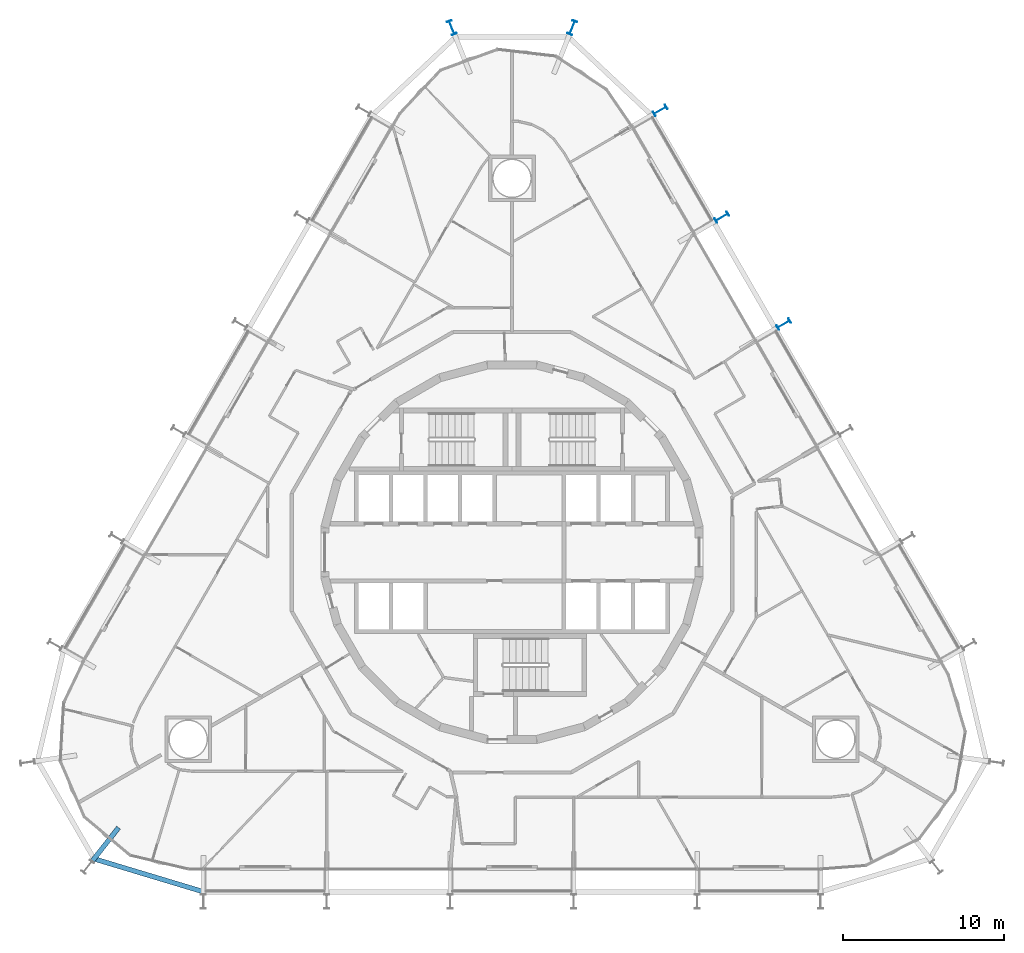
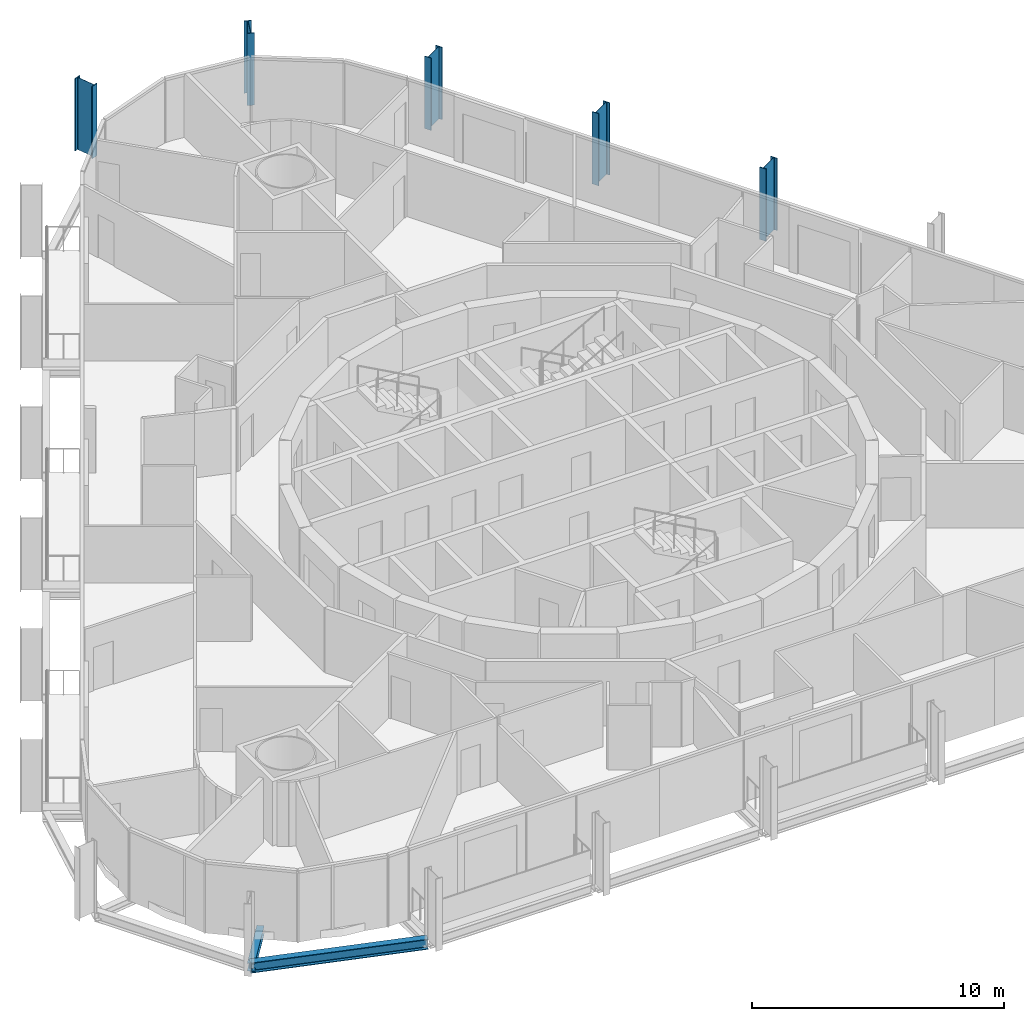
# One storey, part 2 of 21: 5 columns, 2 beams.
"""IFC4 building model written with IfcOpenShell, lengths in metres."""

from ifc_helpers import new_model, si_unit, direction, frame, origin, origin_2d, place, context, subcontext, project, spatial, i_section, extrude, material, material_profile, profile_set, type_object, element, save


model = new_model("IFC4")

# Units and contexts
model_context = context("Model", 3, precision=1e-05, world=origin(), true_north=direction((0.0, 1.0)))
body_context = subcontext(model_context, "Body", "Model", "MODEL_VIEW")
ifc_project = project(units=[si_unit("LENGTHUNIT", "METRE"), si_unit("AREAUNIT", "SQUARE_METRE"), si_unit("VOLUMEUNIT", "CUBIC_METRE"), si_unit("PLANEANGLEUNIT", "RADIAN"), si_unit("MASSUNIT", "GRAM", prefix="KILO")], contexts=[model_context])

# Site, building, storey
site_placement = place(None, origin())
site = spatial("IfcSite", under=ifc_project, at=site_placement, CompositionType="ELEMENT")
building_placement = place(site_placement, origin())
building = spatial("IfcBuilding", under=site, at=building_placement, Name="Spindle Arch Residences", CompositionType="ELEMENT")
storey_placement = place(building_placement, frame((0.0, 0.0, 62.89990234375)))
storey = spatial("IfcBuildingStorey", under=building, at=storey_placement, Name="L14", CompositionType="ELEMENT", Elevation=62.89990234375)

# Columns
ifc_material_1 = material(Name="Steel S460ML, intumescent coating R 240", Category="steel")
ifc_material_profile_1 = material_profile(ifc_material_1, i_section(OverallWidth=0.300048828125, OverallDepth=0.89990234375, WebThickness=0.0185546875, FlangeThickness=0.034912109375, FilletRadius=0.030029296875, at=origin_2d()), Name="HEB 900")
ifc_profile_set_1 = profile_set([ifc_material_profile_1], Name="Steel S460ML, intumescent coating R 240")
column_type = type_object("IfcColumnType", Name="Exoskeleton post HEB 900", PredefinedType="COLUMN", material=ifc_profile_set_1)
for number, where, z_axis, x_axis, name in (
    (1, (16.898681640625, 14.1904296875, -0.3798828125), (0.0, 0.0, 1.0), (0.50000017485, -0.866025302835, 0.0), "Exoskeleton post 9"),
    (2, (13.05859375, 20.841796875, -0.3798828125), (0.0, 0.0, 1.0), (0.50000017485, -0.866025302835, 0.0), "Exoskeleton post 10"),
    (3, (9.218505859375, 27.492919921875, -0.3798828125), (0.0, 0.0, 1.0), (0.50000017485, -0.866025302835, 0.0), "Exoskeleton post 11"),
    (4, (3.748291015625, 32.638671875, -0.3798828125), (0.0, 0.0, 1.0), (0.928589751246, -0.371107900591, 0.0), "Exoskeleton post 12"),
    (5, (-3.748291015625, 32.638671875, -0.3798828125), (0.0, 0.0, 1.0), (0.928589751246, 0.371107900591, 0.0), "Exoskeleton post 13"),
):
    element("IfcColumn", number, at=place(storey_placement, frame(where, z_axis=z_axis, x_axis=x_axis)), inside=storey, type_object=column_type, Name=name, PredefinedType="COLUMN", context=body_context, shape_type="SweptSolid", body=[
        extrude(i_section(OverallWidth=0.300048828125, OverallDepth=0.89990234375, WebThickness=0.0185546875, FlangeThickness=0.034912109375, FilletRadius=0.030029296875, at=origin_2d()), origin(), (0.0, 0.0, 1.0), 3.5),
    ])

# Beams
ifc_material_2 = material(Name="Steel S460ML, intumescent coating R 120", Category="steel")
ifc_material_profile_2 = material_profile(ifc_material_2, i_section(OverallWidth=0.300048828125, OverallDepth=0.5, WebThickness=0.014404296875, FlangeThickness=0.028076171875, FilletRadius=0.027099609375, at=origin_2d()), Name="HEB 500")
ifc_profile_set_2 = profile_set([ifc_material_profile_2], Name="Steel S460ML, intumescent coating R 120")
beam_type_1 = type_object("IfcBeamType", Name="Exoskeleton edge beam HEB 500", PredefinedType="BEAM", material=ifc_profile_set_2)
beam_1_placement = place(storey_placement, frame((-26.0751953125, -19.048095703125, -0.6298828125), z_axis=(0.95756732363, -0.288209681856, 0.0), x_axis=(0.288209681856, 0.95756732363, 0.0)))
element("IfcBeam", 6, at=beam_1_placement, inside=storey, type_object=beam_type_1, Name="Exoskeleton edge beam 21", PredefinedType="BEAM", context=body_context, shape_type="SweptSolid", body=[
    extrude(i_section(OverallWidth=0.300048828125, OverallDepth=0.5, WebThickness=0.014404296875, FlangeThickness=0.028076171875, FilletRadius=0.027099609375, at=origin_2d()), origin(), (0.0, 0.0, 1.0), 7.250244140625),
])
ifc_material_3 = material(Name="Steel S460ML, intumescent coating R 120", Category="steel")
ifc_material_profile_3 = material_profile(ifc_material_3, i_section(OverallWidth=0.300048828125, OverallDepth=0.389892578125, WebThickness=0.010986328125, FlangeThickness=0.01904296875, FilletRadius=0.027099609375, at=origin_2d()), Name="HEA 400")
ifc_profile_set_3 = profile_set([ifc_material_profile_3], Name="Steel S460ML, intumescent coating R 120")
beam_type_2 = type_object("IfcBeamType", Name="Floor outrigger HEA 400", PredefinedType="BEAM", material=ifc_profile_set_3)
beam_2_placement = place(storey_placement, frame((-26.11328125, -19.211669921875, -0.574951171875), z_axis=(0.618586231558, 0.785716917297, 0.0), x_axis=(-0.785716917297, 0.618586231558, 0.0)))
element("IfcBeam", 7, at=beam_2_placement, inside=storey, type_object=beam_type_2, Name="Floor outrigger 21", PredefinedType="BEAM", context=body_context, shape_type="SweptSolid", body=[
    extrude(i_section(OverallWidth=0.300048828125, OverallDepth=0.389892578125, WebThickness=0.010986328125, FlangeThickness=0.01904296875, FilletRadius=0.027099609375, at=origin_2d()), origin(), (0.0, 0.0, 1.0), 2.64990234375),
])

save(model, "model.ifc")
